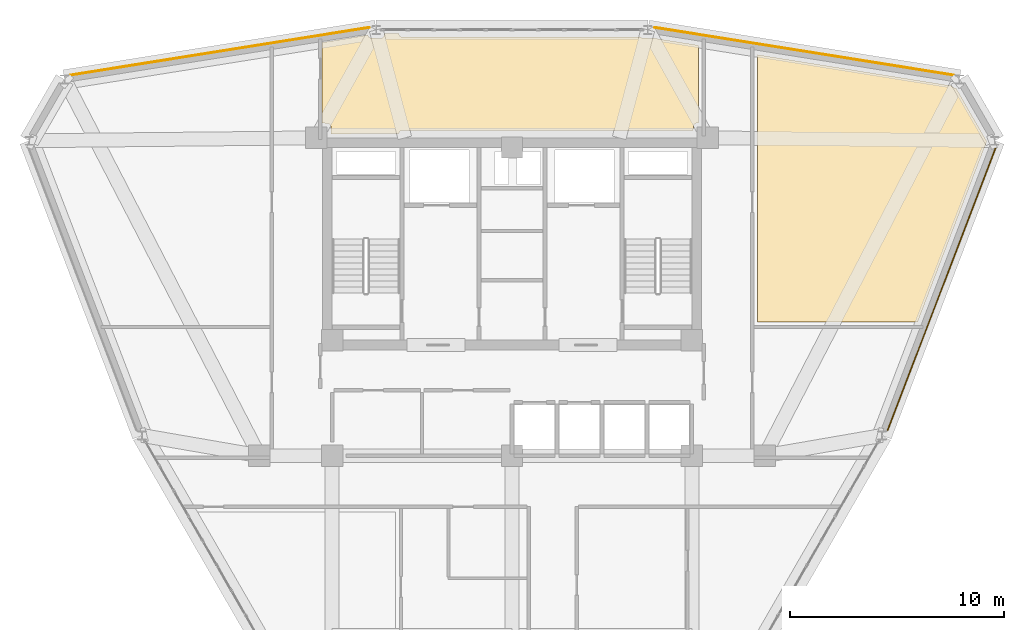
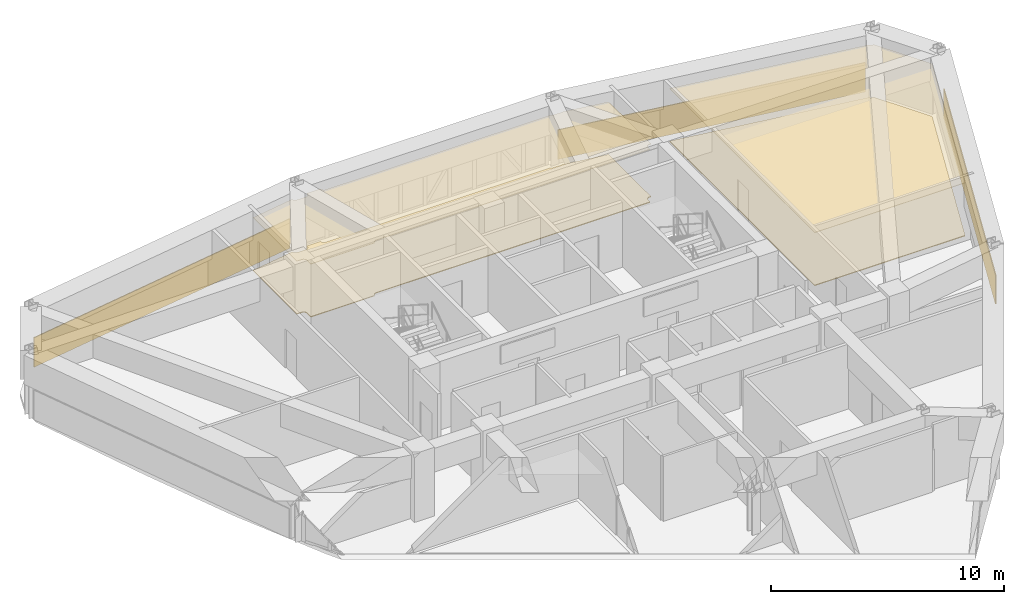
# One storey, part 14 of 14: 7 coverings.
"""IFC4 building model written with IfcOpenShell, lengths in metres."""

from ifc_helpers import new_model, si_unit, derived_unit, direction, frame, origin, place, context, subcontext, project, spatial, polyline, outline, extrude, material, layer, layer_set, type_object, element, save


model = new_model("IFC4")

# Units and contexts
model_context = context("Model", 3, precision=1e-05, world=origin(), true_north=direction((0.0, 1.0)))
body_context = subcontext(model_context, "Body", "Model", "MODEL_VIEW")
ifc_project = project(units=[si_unit("LENGTHUNIT", "METRE"), si_unit("AREAUNIT", "SQUARE_METRE"), si_unit("VOLUMEUNIT", "CUBIC_METRE"), si_unit("PLANEANGLEUNIT", "RADIAN"), si_unit("MASSUNIT", "GRAM", prefix="KILO"), derived_unit("THERMALTRANSMITTANCEUNIT", [(si_unit("POWERUNIT", "WATT"), 1), (si_unit("LENGTHUNIT", "METRE"), -2), (si_unit("THERMODYNAMICTEMPERATUREUNIT", "KELVIN"), -1)])], contexts=[model_context])

# Site, building, storey
site_placement = place(None, origin())
site = spatial("IfcSite", under=ifc_project, at=site_placement, CompositionType="ELEMENT")
building_placement = place(site_placement, origin())
building = spatial("IfcBuilding", under=site, at=building_placement, Name="Korsvarv Bourse and Concert Hall", CompositionType="ELEMENT")
storey_placement = place(building_placement, frame((0.0, 0.0, 175.800048828125)))
storey = spatial("IfcBuildingStorey", under=building, at=storey_placement, Name="L45", CompositionType="ELEMENT", Elevation=175.800048828125)

# Coverings
ifc_material_1 = material(Name="Perforated mineral-wool and birch acoustic baffle ceiling", Category="wood")
ifc_layer_1 = layer(ifc_material_1, 0.02490234375)
ifc_layer_set_1 = layer_set([ifc_layer_1], Name="Perforated mineral-wool and birch acoustic baffle ceiling")
covering_type_1 = type_object("IfcCoveringType", Name="COV-CEIL-1", PredefinedType="CEILING", material=ifc_layer_set_1)
covering_1_placement = place(storey_placement, frame((0.0, 0.0, 2.780029296875)))
element("IfcCovering", 1, at=covering_1_placement, inside=storey, type_object=covering_type_1, Name="L45 acoustic baffle ceiling 1", PredefinedType="CEILING", context=body_context, shape_type="SweptSolid", body=[
    extrude(outline(polyline([(56.531494140625, 49.680419921875), (56.552001953125, 49.650634765625), (56.577880859375, 49.62548828125), (56.6083984375, 49.606201171875), (56.64208984375, 49.59326171875), (56.677490234375, 49.58740234375), (56.735595703125, 49.58349609375), (58.160888671875, 47.114990234375), (58.160888671875, 47.038818359375), (54.95068359375, 38.64990234375), (47.47998046875, 38.64990234375), (47.47998046875, 51.1328125), (56.531494140625, 49.680419921875)])), origin(), (0.0, 0.0, 1.0), 0.02490234375),
])
covering_2_placement = place(storey_placement, frame((0.0, 0.0, 2.780029296875)))
element("IfcCovering", 2, at=covering_2_placement, inside=storey, type_object=covering_type_1, Name="L45 acoustic baffle ceiling 2", PredefinedType="CEILING", context=body_context, shape_type="SweptSolid", body=[
    extrude(outline(polyline([(29.264892578125, 52.051513671875), (29.2744140625, 52.02001953125), (29.290283203125, 51.9892578125), (29.312255859375, 51.962158203125), (29.3388671875, 51.939697265625), (29.369140625, 51.9228515625), (29.402099609375, 51.912109375), (29.436767578125, 51.907958984375), (29.852783203125, 51.89794921875), (29.887451171875, 51.900390625), (29.9208984375, 51.909423828125), (29.9521484375, 51.925048828125), (29.979736328125, 51.9462890625), (30.002685546875, 51.97216796875), (30.0205078125, 52.002197265625), (30.031982421875, 52.03515625), (30.036865234375, 52.069580078125), (30.038818359375, 52.11572265625), (30.711181640625, 52.11572265625), (30.7158203125, 52.090576171875), (30.728515625, 52.056396484375), (30.747802734375, 52.025634765625), (30.772705078125, 51.999267578125), (30.802734375, 51.978515625), (30.836181640625, 51.964111328125), (30.871826171875, 51.956787109375), (42.010986328125, 51.955810546875), (42.03076171875, 51.939697265625), (42.06103515625, 51.9228515625), (42.09423828125, 51.912109375), (42.128662109375, 51.907958984375), (42.544677734375, 51.89794921875), (42.57958984375, 51.900390625), (42.611572265625, 51.9091796875), (44.7099609375, 51.57470703125), (44.7099609375, 47.93994140625), (44.64990234375, 47.93994140625), (44.615478515625, 47.936767578125), (44.582275390625, 47.9267578125), (44.5517578125, 47.910888671875), (44.524658203125, 47.88916015625), (44.502197265625, 47.86279296875), (44.4853515625, 47.83251953125), (44.474365234375, 47.799560546875), (44.47021484375, 47.765380859375), (44.465087890625, 47.60009765625), (30.889892578125, 47.60009765625), (30.853759765625, 47.59619140625), (30.819091796875, 47.58544921875), (30.787109375, 47.567626953125), (30.759521484375, 47.5439453125), (30.7373046875, 47.51513671875), (30.72119140625, 47.482421875), (30.712158203125, 47.447265625), (27.5400390625, 47.43994140625), (27.5400390625, 47.75), (27.53662109375, 47.78466796875), (27.526611328125, 47.81787109375), (27.510498046875, 47.8486328125), (27.48876953125, 47.875732421875), (27.46240234375, 47.898193359375), (27.431884765625, 47.9150390625), (27.39892578125, 47.92578125), (27.364501953125, 47.929931640625), (27.1298828125, 47.935791015625), (27.1298828125, 51.700439453125), (29.264892578125, 52.051513671875)])), origin(), (0.0, 0.0, 1.0), 0.02490234375),
])
ifc_material_2 = material(Name="Warm iron-oxide extruded terracotta rainscreen tile", Category="ceramic")
ifc_layer_2 = layer(ifc_material_2, 0.044921875)
ifc_layer_set_2 = layer_set([ifc_layer_2], Name="Warm iron-oxide extruded terracotta rainscreen tile")
covering_type_2 = type_object("IfcCoveringType", Name="COV-CLD-TC", PredefinedType="CLADDING", material=ifc_layer_set_2)
covering_3_placement = place(storey_placement, origin())
element("IfcCovering", 3, at=covering_3_placement, inside=storey, type_object=covering_type_2, Name="L45 fluted terracotta cladding panel EW-L45-B02", PredefinedType="CLADDING", context=body_context, shape_type="SweptSolid", body=[
    extrude(outline(polyline([(56.63671875, 50.154052734375), (42.654296875, 52.38330078125), (42.661376953125, 52.427734375), (56.6435546875, 50.198486328125), (56.63671875, 50.154052734375)])), origin(), (0.0, 0.0, 1.0), 1.550048828125),
])
covering_4_placement = place(storey_placement, origin())
element("IfcCovering", 4, at=covering_4_placement, inside=storey, type_object=covering_type_2, Name="L45 fluted terracotta cladding panel EW-L45-B04", PredefinedType="CLADDING", context=body_context, shape_type="SweptSolid", body=[
    extrude(outline(polyline([(29.345703125, 52.38330078125), (15.36328125, 50.154052734375), (15.3564453125, 50.198486328125), (29.338623046875, 52.427734375), (29.345703125, 52.38330078125)])), origin(), (0.0, 0.0, 1.0), 1.550048828125),
])
covering_5_placement = place(storey_placement, origin())
element("IfcCovering", 5, at=covering_5_placement, inside=storey, type_object=covering_type_2, Name="L45 fluted terracotta cladding panel EW-L45-B12", PredefinedType="CLADDING", context=body_context, shape_type="SweptSolid", body=[
    extrude(outline(polyline([(53.521728515625, 33.58740234375), (58.56982421875, 46.7783203125), (58.61181640625, 46.76220703125), (53.563720703125, 33.5712890625), (53.521728515625, 33.58740234375)])), origin(), (0.0, 0.0, 1.0), 1.550048828125),
])
ifc_material_3 = material(Name="Calcium-sulphate raised access trading floor with Nordic oak top", Category="wood")
ifc_layer_3 = layer(ifc_material_3, 0.0400390625)
ifc_layer_set_3 = layer_set([ifc_layer_3], Name="Calcium-sulphate raised access trading floor with Nordic oak top")
covering_type_3 = type_object("IfcCoveringType", Name="COV-FLOR-1", PredefinedType="FLOORING", material=ifc_layer_set_3)
covering_6_placement = place(storey_placement, origin())
element("IfcCovering", 6, at=covering_6_placement, inside=storey, type_object=covering_type_3, Name="L45 raised access oak floor finish 1", PredefinedType="FLOORING", context=body_context, shape_type="SweptSolid", body=[
    extrude(outline(polyline([(56.531494140625, 49.680419921875), (56.552001953125, 49.650634765625), (56.577880859375, 49.62548828125), (56.6083984375, 49.606201171875), (56.64208984375, 49.59326171875), (56.677490234375, 49.58740234375), (56.735595703125, 49.58349609375), (58.160888671875, 47.114990234375), (58.160888671875, 47.038818359375), (54.95068359375, 38.64990234375), (47.47998046875, 38.64990234375), (47.47998046875, 51.1328125), (56.531494140625, 49.680419921875)])), origin(), (0.0, 0.0, 1.0), 0.0400390625),
])
covering_7_placement = place(storey_placement, origin())
element("IfcCovering", 7, at=covering_7_placement, inside=storey, type_object=covering_type_3, Name="L45 raised access oak floor finish 2", PredefinedType="FLOORING", context=body_context, shape_type="SweptSolid", body=[
    extrude(outline(polyline([(29.264892578125, 52.051513671875), (29.2744140625, 52.02001953125), (29.290283203125, 51.9892578125), (29.312255859375, 51.962158203125), (29.3388671875, 51.939697265625), (29.369140625, 51.9228515625), (29.402099609375, 51.912109375), (29.436767578125, 51.907958984375), (29.852783203125, 51.89794921875), (29.887451171875, 51.900390625), (29.9208984375, 51.909423828125), (29.9521484375, 51.925048828125), (29.979736328125, 51.9462890625), (30.002685546875, 51.97216796875), (30.0205078125, 52.002197265625), (30.031982421875, 52.03515625), (30.036865234375, 52.069580078125), (30.038818359375, 52.11572265625), (30.711181640625, 52.11572265625), (30.7158203125, 52.090576171875), (30.728515625, 52.056396484375), (30.747802734375, 52.025634765625), (30.772705078125, 51.999267578125), (30.802734375, 51.978515625), (30.836181640625, 51.964111328125), (30.871826171875, 51.956787109375), (42.010986328125, 51.955810546875), (42.03076171875, 51.939697265625), (42.06103515625, 51.9228515625), (42.09423828125, 51.912109375), (42.128662109375, 51.907958984375), (42.544677734375, 51.89794921875), (42.57958984375, 51.900390625), (42.611572265625, 51.9091796875), (44.7099609375, 51.57470703125), (44.7099609375, 47.93994140625), (44.64990234375, 47.93994140625), (44.615478515625, 47.936767578125), (44.582275390625, 47.9267578125), (44.5517578125, 47.910888671875), (44.524658203125, 47.88916015625), (44.502197265625, 47.86279296875), (44.4853515625, 47.83251953125), (44.474365234375, 47.799560546875), (44.47021484375, 47.765380859375), (44.465087890625, 47.60009765625), (30.889892578125, 47.60009765625), (30.853759765625, 47.59619140625), (30.819091796875, 47.58544921875), (30.787109375, 47.567626953125), (30.759521484375, 47.5439453125), (30.7373046875, 47.51513671875), (30.72119140625, 47.482421875), (30.712158203125, 47.447265625), (27.5400390625, 47.43994140625), (27.5400390625, 47.75), (27.53662109375, 47.78466796875), (27.526611328125, 47.81787109375), (27.510498046875, 47.8486328125), (27.48876953125, 47.875732421875), (27.46240234375, 47.898193359375), (27.431884765625, 47.9150390625), (27.39892578125, 47.92578125), (27.364501953125, 47.929931640625), (27.1298828125, 47.935791015625), (27.1298828125, 51.700439453125), (29.264892578125, 52.051513671875)])), origin(), (0.0, 0.0, 1.0), 0.0400390625),
])

save(model, "model.ifc")
